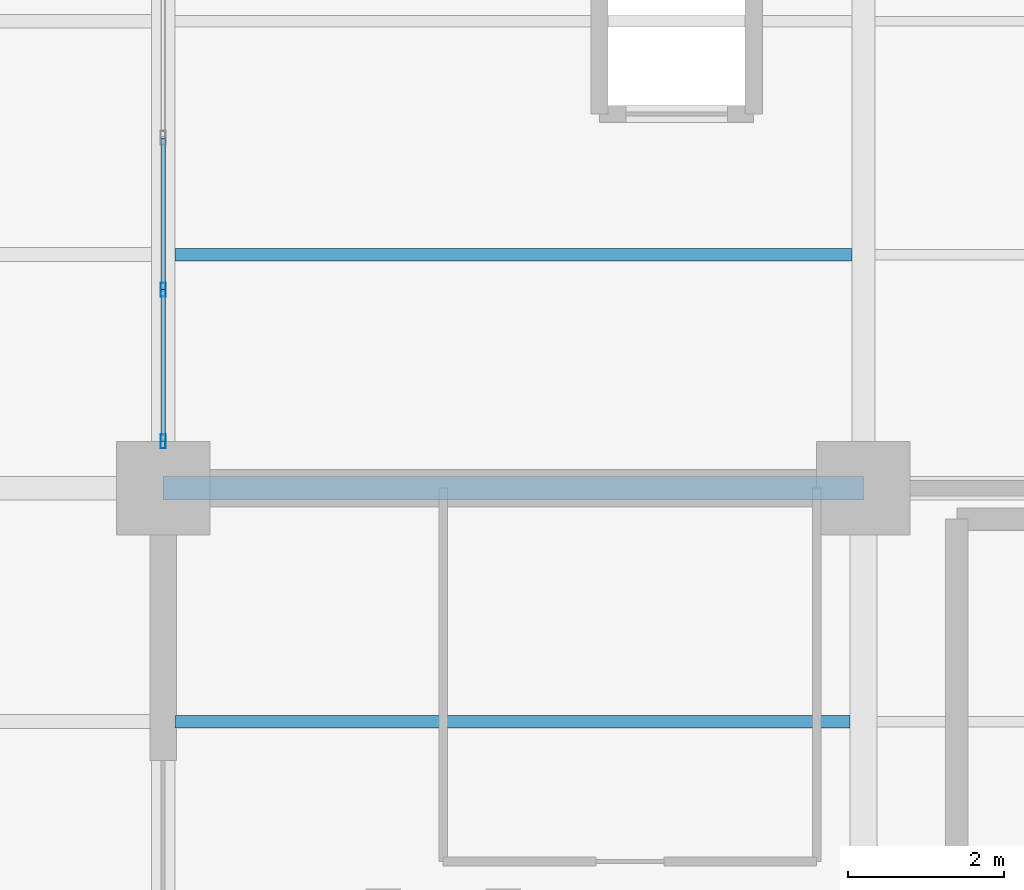
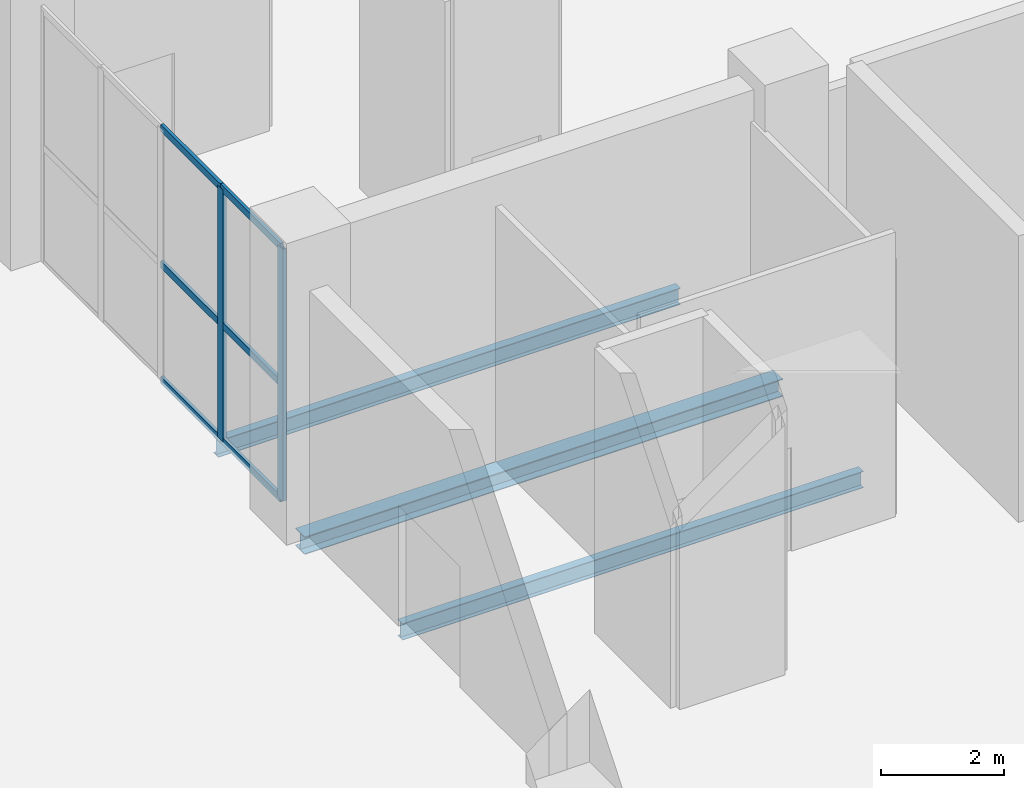
# One storey, part 22 of 144: 8 members, 3 beams, 1 element without a shape of its own.
"""IFC4 building model written with IfcOpenShell, lengths in metres."""

from ifc_helpers import new_model, si_unit, direction, frame, origin, origin_2d, place, context, subcontext, project, spatial, hollow_rectangle, i_section, extrude, material, layer, layer_set, material_profile, profile_set, type_object, element, aggregate, save


model = new_model("IFC4")

# Units and contexts
model_context = context("Model", 3, precision=1e-05, world=origin(), true_north=direction((0.0, 1.0)))
body_context = subcontext(model_context, "Body", "Model", "MODEL_VIEW")
ifc_project = project(units=[si_unit("LENGTHUNIT", "METRE"), si_unit("AREAUNIT", "SQUARE_METRE"), si_unit("VOLUMEUNIT", "CUBIC_METRE"), si_unit("PLANEANGLEUNIT", "RADIAN"), si_unit("MASSUNIT", "GRAM", prefix="KILO")], contexts=[model_context])

# Site, building, storey
site_placement = place(None, origin())
site = spatial("IfcSite", under=ifc_project, at=site_placement, CompositionType="ELEMENT")
building_placement = place(site_placement, origin())
building = spatial("IfcBuilding", under=site, at=building_placement, Name="Sundgate Opera House", CompositionType="ELEMENT")
storey_placement = place(building_placement, origin())
storey = spatial("IfcBuildingStorey", under=building, at=storey_placement, Name="L00", CompositionType="ELEMENT", Elevation=0.0)

# Beams
ifc_material_1 = material(Name="Steel S355J2", Category="steel")
ifc_material_profile_1 = material_profile(ifc_material_1, i_section(OverallWidth=0.300048828125, OverallDepth=0.35009765625, WebThickness=0.010009765625, FlangeThickness=0.017578125, at=origin_2d()), Name="HEA 360")
ifc_profile_set_1 = profile_set([ifc_material_profile_1], Name="Steel S355J2")
beam_type_1 = type_object("IfcBeamType", Name="BM-GR-HEA360", PredefinedType="BEAM", material=ifc_profile_set_1)
beam_1_placement = place(storey_placement, frame((36.0, 60.0, -0.4951171875), z_axis=(1.0, 0.0, 0.0), x_axis=(0.0, 1.0, 0.0)))
element("IfcBeam", 1, at=beam_1_placement, inside=storey, type_object=beam_type_1, Name="L00 Primary E-W Girder B0444", PredefinedType="BEAM", context=body_context, shape_type="SweptSolid", body=[
    extrude(i_section(OverallWidth=0.300048828125, OverallDepth=0.35009765625, WebThickness=0.010009765625, FlangeThickness=0.017578125, at=origin_2d()), origin(), (0.0, 0.0, 1.0), 9.0),
])
ifc_material_2 = material(Name="Steel S355J2", Category="steel")
ifc_material_profile_2 = material_profile(ifc_material_2, i_section(OverallWidth=0.159912109375, OverallDepth=0.330078125, WebThickness=0.007568359375, FlangeThickness=0.011474609375, at=origin_2d()), Name="IPE 330")
ifc_profile_set_2 = profile_set([ifc_material_profile_2], Name="Steel S355J2")
beam_type_2 = type_object("IfcBeamType", Name="BM-JS-IPE330", PredefinedType="JOIST", material=ifc_profile_set_2)
beam_2_placement = place(storey_placement, frame((36.14990234375, 57.0, -0.485107421875), z_axis=(1.0, 0.0, 0.0), x_axis=(0.0, 1.0, 0.0)))
element("IfcBeam", 2, at=beam_2_placement, inside=storey, type_object=beam_type_2, Name="L00 Secondary Floor Joist B0780", PredefinedType="JOIST", context=body_context, shape_type="SweptSolid", body=[
    extrude(i_section(OverallWidth=0.159912109375, OverallDepth=0.330078125, WebThickness=0.007568359375, FlangeThickness=0.011474609375, at=origin_2d()), origin(), (0.0, 0.0, 1.0), 8.675048828125),
])
beam_3_placement = place(storey_placement, frame((36.14990234375, 63.0, -0.485107421875), z_axis=(1.0, 0.0, 0.0), x_axis=(0.0, 1.0, 0.0)))
element("IfcBeam", 3, at=beam_3_placement, inside=storey, type_object=beam_type_2, Name="L00 Secondary Floor Joist B0808", PredefinedType="JOIST", context=body_context, shape_type="SweptSolid", body=[
    extrude(i_section(OverallWidth=0.159912109375, OverallDepth=0.330078125, WebThickness=0.007568359375, FlangeThickness=0.011474609375, at=origin_2d()), origin(), (0.0, 0.0, 1.0), 8.7001953125),
])

# Curtain wall, members
ifc_material_3 = material(Name="Anodized aluminium and low-iron glass", Category="aluminium")
ifc_layer = layer(ifc_material_3, 0.179931640625)
ifc_layer_set = layer_set([ifc_layer], Name="Anodized aluminium and low-iron glass")
curtain_wall_type = type_object("IfcCurtainWallType", Name="CW-FOYER-GLASS", PredefinedType="NOTDEFINED", material=ifc_layer_set)
curtain_wall_placement = place(storey_placement, origin())
curtain_wall = element("IfcCurtainWall", 4, at=curtain_wall_placement, inside=storey, type_object=curtain_wall_type, Name="L00 Curtain Wall CW006", PredefinedType="NOTDEFINED")
ifc_material_4 = material(Name="Anodized aluminium EN AW-6063", Category="aluminium")
ifc_material_profile_3 = material_profile(ifc_material_4, hollow_rectangle(XDim=0.06494140625, YDim=0.179931640625, WallThickness=0.00390625, at=origin_2d()), Name="CWM 180x65x4")
ifc_profile_set_3 = profile_set([ifc_material_profile_3], Name="Anodized aluminium EN AW-6063")
member_type_1 = type_object("IfcMemberType", Name="CWM-ALU-180x65", PredefinedType="MULLION", material=ifc_profile_set_3)
member_1_placement = place(storey_placement, frame((36.0, 62.550048828125, 0.0), z_axis=(0.0, 0.0, 1.0), x_axis=(1.0, 0.0, 0.0)))
member_1 = element("IfcMember", 5, at=member_1_placement, type_object=member_type_1, Name="CW006 Mullion 4", PredefinedType="MULLION", context=body_context, shape_type="SweptSolid", body=[
    extrude(hollow_rectangle(XDim=0.06494140625, YDim=0.179931640625, WallThickness=0.00390625, at=origin_2d()), origin(), (0.0, 0.0, 1.0), 5.014892578125),
])
member_2_placement = place(storey_placement, frame((36.0, 60.60009765625, 0.0), z_axis=(0.0, 0.0, 1.0), x_axis=(1.0, 0.0, 0.0)))
member_2 = element("IfcMember", 6, at=member_2_placement, type_object=member_type_1, Name="CW006 Mullion 5", PredefinedType="MULLION", context=body_context, shape_type="SweptSolid", body=[
    extrude(hollow_rectangle(XDim=0.06494140625, YDim=0.179931640625, WallThickness=0.00390625, at=origin_2d()), origin(), (0.0, 0.0, 1.0), 5.014892578125),
])
ifc_material_5 = material(Name="Anodized aluminium EN AW-6063", Category="aluminium")
ifc_material_profile_4 = material_profile(ifc_material_5, hollow_rectangle(XDim=0.06005859375, YDim=0.139892578125, WallThickness=0.00390625, at=origin_2d()), Name="CWT 140x60x4")
ifc_profile_set_4 = profile_set([ifc_material_profile_4], Name="Anodized aluminium EN AW-6063")
member_type_2 = type_object("IfcMemberType", Name="CWT-ALU-140x60", PredefinedType="USERDEFINED", material=ifc_profile_set_4)
member_3_placement = place(storey_placement, frame((36.0, 64.5, 0.0), z_axis=(0.0, -1.0, 0.0), x_axis=(1.0, 0.0, 0.0)))
member_3 = element("IfcMember", 7, at=member_3_placement, type_object=member_type_2, Name="CW006 Transom 7", ObjectType="TRANSOM", PredefinedType="USERDEFINED", context=body_context, shape_type="SweptSolid", body=[
    extrude(hollow_rectangle(XDim=0.06005859375, YDim=0.139892578125, WallThickness=0.00390625, at=origin_2d()), origin(), (0.0, 0.0, 1.0), 1.949951171875),
])
member_4_placement = place(storey_placement, frame((36.0, 64.5, 2.300048828125), z_axis=(0.0, -1.0, 0.0), x_axis=(1.0, 0.0, 0.0)))
member_4 = element("IfcMember", 8, at=member_4_placement, type_object=member_type_2, Name="CW006 Transom 8", ObjectType="TRANSOM", PredefinedType="USERDEFINED", context=body_context, shape_type="SweptSolid", body=[
    extrude(hollow_rectangle(XDim=0.06005859375, YDim=0.139892578125, WallThickness=0.00390625, at=origin_2d()), origin(), (0.0, 0.0, 1.0), 1.949951171875),
])
member_5_placement = place(storey_placement, frame((36.0, 64.5, 5.014892578125), z_axis=(0.0, -1.0, 0.0), x_axis=(1.0, 0.0, 0.0)))
member_5 = element("IfcMember", 9, at=member_5_placement, type_object=member_type_2, Name="CW006 Transom 9", ObjectType="TRANSOM", PredefinedType="USERDEFINED", context=body_context, shape_type="SweptSolid", body=[
    extrude(hollow_rectangle(XDim=0.06005859375, YDim=0.139892578125, WallThickness=0.00390625, at=origin_2d()), origin(), (0.0, 0.0, 1.0), 1.949951171875),
])
member_6_placement = place(storey_placement, frame((36.0, 62.550048828125, 0.0), z_axis=(0.0, -1.0, 0.0), x_axis=(1.0, 0.0, 0.0)))
member_6 = element("IfcMember", 10, at=member_6_placement, type_object=member_type_2, Name="CW006 Transom 10", ObjectType="TRANSOM", PredefinedType="USERDEFINED", context=body_context, shape_type="SweptSolid", body=[
    extrude(hollow_rectangle(XDim=0.06005859375, YDim=0.139892578125, WallThickness=0.00390625, at=origin_2d()), origin(), (0.0, 0.0, 1.0), 1.949951171875),
])
member_7_placement = place(storey_placement, frame((36.0, 62.550048828125, 2.300048828125), z_axis=(0.0, -1.0, 0.0), x_axis=(1.0, 0.0, 0.0)))
member_7 = element("IfcMember", 11, at=member_7_placement, type_object=member_type_2, Name="CW006 Transom 11", ObjectType="TRANSOM", PredefinedType="USERDEFINED", context=body_context, shape_type="SweptSolid", body=[
    extrude(hollow_rectangle(XDim=0.06005859375, YDim=0.139892578125, WallThickness=0.00390625, at=origin_2d()), origin(), (0.0, 0.0, 1.0), 1.949951171875),
])
member_8_placement = place(storey_placement, frame((36.0, 62.550048828125, 5.014892578125), z_axis=(0.0, -1.0, 0.0), x_axis=(1.0, 0.0, 0.0)))
member_8 = element("IfcMember", 12, at=member_8_placement, type_object=member_type_2, Name="CW006 Transom 12", ObjectType="TRANSOM", PredefinedType="USERDEFINED", context=body_context, shape_type="SweptSolid", body=[
    extrude(hollow_rectangle(XDim=0.06005859375, YDim=0.139892578125, WallThickness=0.00390625, at=origin_2d()), origin(), (0.0, 0.0, 1.0), 1.949951171875),
])
aggregate(curtain_wall, [member_1, member_2, member_3, member_4, member_5, member_6, member_7, member_8])

save(model, "model.ifc")
